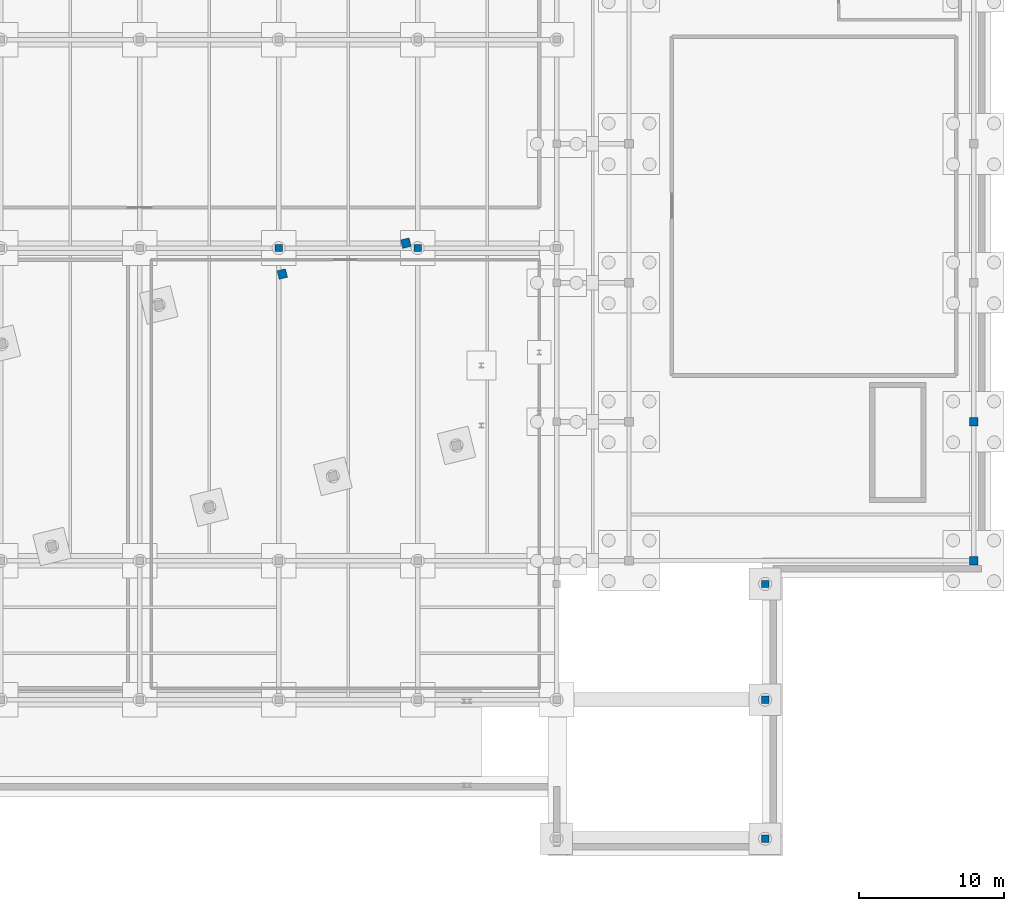
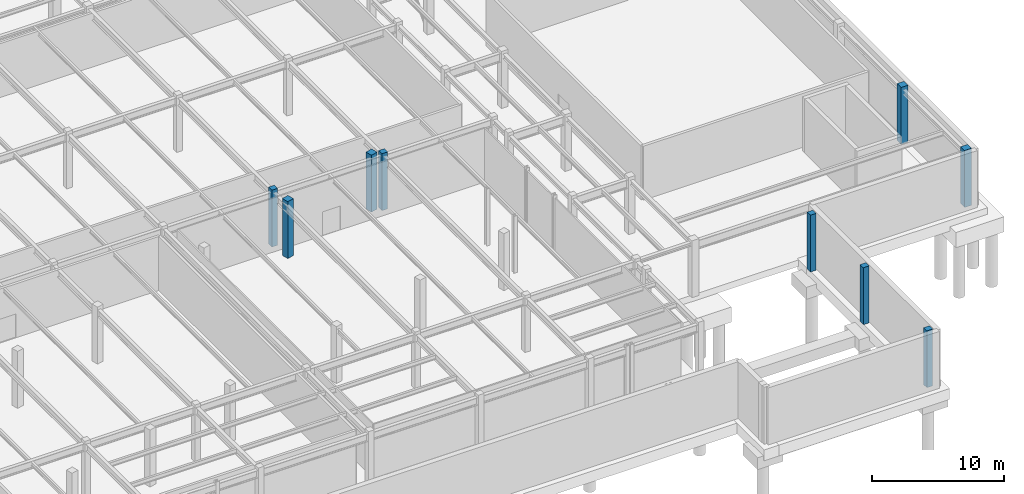
# One storey, part 11 of 33: 9 columns.
"""IFC4 building model written with IfcOpenShell, lengths in metres."""

from ifc_helpers import new_model, si_unit, direction, frame, origin, origin_2d, place, context, subcontext, project, spatial, rectangle, extrude, material, material_profile, profile_set, type_object, element, save


model = new_model("IFC4")

# Units and contexts
model_context = context("Model", 3, precision=1e-05, world=origin(), true_north=direction((0.0, 1.0)))
body_context = subcontext(model_context, "Body", "Model", "MODEL_VIEW")
ifc_project = project(units=[si_unit("LENGTHUNIT", "METRE"), si_unit("AREAUNIT", "SQUARE_METRE"), si_unit("VOLUMEUNIT", "CUBIC_METRE"), si_unit("PLANEANGLEUNIT", "RADIAN"), si_unit("MASSUNIT", "GRAM", prefix="KILO")], contexts=[model_context])

# Site, building, storey
site_placement = place(None, origin())
site = spatial("IfcSite", under=ifc_project, at=site_placement, CompositionType="ELEMENT")
building_placement = place(site_placement, origin())
building = spatial("IfcBuilding", under=site, at=building_placement, Name="Nordkorset Police Headquarters", CompositionType="ELEMENT")
storey_placement = place(building_placement, frame((0.0, 0.0, -9.800048828125)))
storey = spatial("IfcBuildingStorey", under=building, at=storey_placement, Name="B02", CompositionType="ELEMENT", Elevation=-9.800048828125)

# Columns
ifc_material_1 = material(Name="Concrete C45/55", Category="concrete")
ifc_material_profile_1 = material_profile(ifc_material_1, rectangle(XDim=0.5, YDim=0.5, at=origin_2d()), Name="RC 500x500")
ifc_profile_set_1 = profile_set([ifc_material_profile_1], Name="Concrete C45/55")
column_type_1 = type_object("IfcColumnType", Name="Col_RC_500x500", PredefinedType="COLUMN", material=ifc_profile_set_1)
for number, where, z_axis, x_axis, name in (
    (1, (67.199951171875, 69.60009765625, 0.0), (0.0, 0.0, 1.0), (1.0, 0.0, 0.0), "Structural Column SUB_C_4_2 B02"),
    (2, (76.800048828125, 69.60009765625, 0.0), (0.0, 0.0, 1.0), (1.0, 0.0, 0.0), "Structural Column SUB_C_5_2 B02"),
    (3, (100.800048828125, 28.800048828125, 0.0), (0.0, 0.0, 1.0), (1.0, 0.0, 0.0), "Structural Column V7_EC_1_288 B02"),
    (4, (100.800048828125, 38.39990234375, 0.0), (0.0, 0.0, 1.0), (1.0, 0.0, 0.0), "Structural Column V7_EC_1_384 B02"),
    (5, (100.800048828125, 46.39990234375, 0.0), (0.0, 0.0, 1.0), (1.0, 0.0, 0.0), "Structural Column V7_EC_1_464 B02"),
):
    element("IfcColumn", number, at=place(storey_placement, frame(where, z_axis=z_axis, x_axis=x_axis)), inside=storey, type_object=column_type_1, Name=name, PredefinedType="COLUMN", context=body_context, shape_type="SweptSolid", body=[
        extrude(rectangle(XDim=0.5, YDim=0.5, at=origin_2d()), origin(), (0.0, 0.0, 1.0), 5.25),
    ])
ifc_material_2 = material(Name="Concrete C45/55", Category="concrete")
ifc_material_profile_2 = material_profile(ifc_material_2, rectangle(XDim=0.60009765625, YDim=0.60009765625, at=origin_2d()), Name="RC 600x600")
ifc_profile_set_2 = profile_set([ifc_material_profile_2], Name="Concrete C45/55")
column_type_2 = type_object("IfcColumnType", Name="Col_RC_600x600", PredefinedType="COLUMN", material=ifc_profile_set_2)
for number, where, z_axis, x_axis, name in (
    (6, (115.199951171875, 48.0, 0.0), (0.0, 0.0, 1.0), (1.0, 0.0, 0.0), "Structural Column V5_X2_0 B02"),
    (7, (115.199951171875, 57.60009765625, 0.0), (0.0, 0.0, 1.0), (1.0, 0.0, 0.0), "Structural Column V5_X2_1 B02"),
    (8, (67.450439453125, 67.805908203125, 0.0), (0.0, 0.0, 1.0), (0.970142500145, 0.242535625038, 0.0), "Structural Column V4_U5_V1 B02"),
    (9, (75.98779296875, 69.940185546875, 0.0), (0.0, 0.0, 1.0), (0.970142500145, 0.242535625038, 0.0), "Structural Column V4_U6_V1 B02"),
):
    element("IfcColumn", number, at=place(storey_placement, frame(where, z_axis=z_axis, x_axis=x_axis)), inside=storey, type_object=column_type_2, Name=name, PredefinedType="COLUMN", context=body_context, shape_type="SweptSolid", body=[
        extrude(rectangle(XDim=0.60009765625, YDim=0.60009765625, at=origin_2d()), origin(), (0.0, 0.0, 1.0), 5.25),
    ])

save(model, "model.ifc")
